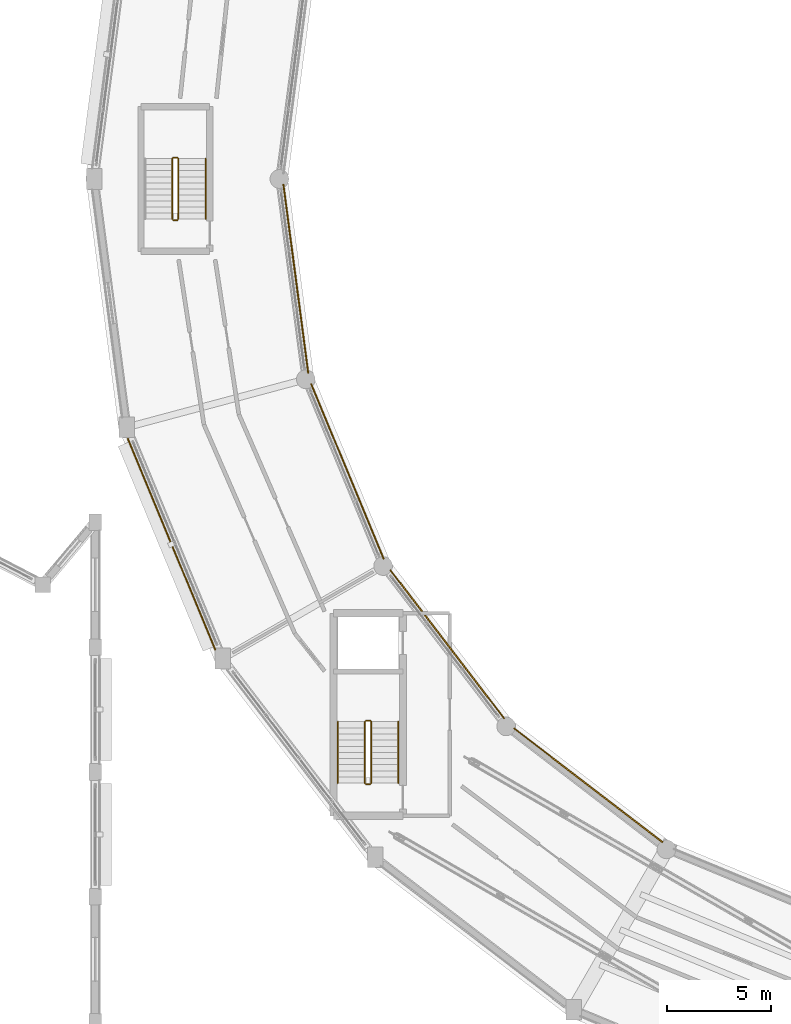
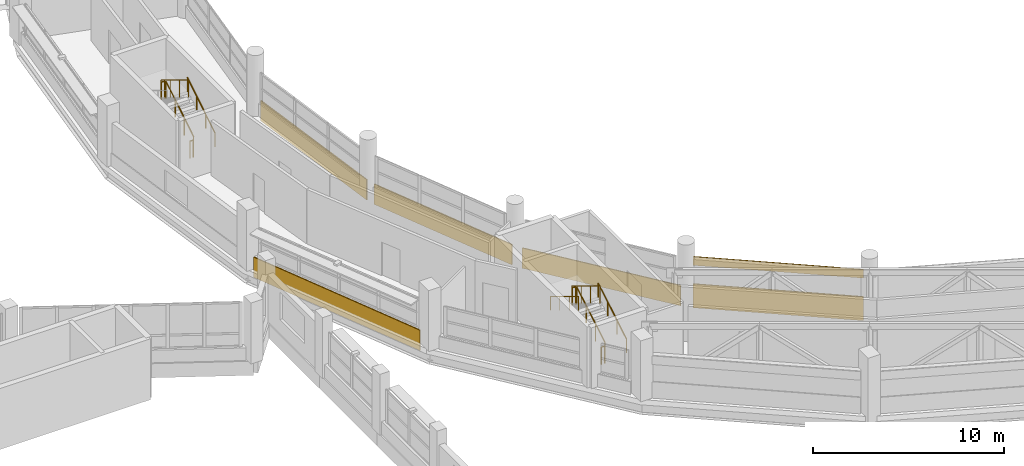
# One storey, part 114 of 121: 11 railings, 6 coverings.
"""IFC4 building model written with IfcOpenShell, lengths in metres."""

import ifcopenshell
import ifcopenshell.guid

model = None  # the IFC model being written
_history = None  # IfcOwnerHistory: only IFC2X3 demands one
_inside = {}  # id of a spatial element -> (the spatial element, [elements in it])
_under = {}  # id of a project, library or spatial element -> (it, [spatial elements below it])
_declared = {}  # id of a project -> (the project, [libraries it declares])
_typed = {}  # id of a type object -> (the type object, [elements of that type])
_made_of = {}  # id of a material, layer set ... -> (it, [elements and type objects made of it])


def new_model(schema):
    """Start an empty IFC model of exactly this schema.

    Asked for "IFC4X3", IfcOpenShell would pick the latest addendum, in which some entities
    have other attributes; the version numbers below select the first issue.
    IFC2X3 requires an IfcOwnerHistory on every rooted entity: one is made here for all.
    """
    global model, _history
    if schema == "IFC4X3":
        model = ifcopenshell.file(schema_version=(4, 3, 0, 0))
    else:
        model = ifcopenshell.file(schema=schema)
    _inside.clear()
    _under.clear()
    _declared.clear()
    _typed.clear()
    _made_of.clear()
    _history = None
    if model.schema == "IFC2X3":
        org = make("IfcOrganization", Name="unknown")
        user = make(
            "IfcPersonAndOrganization",
            ThePerson=make("IfcPerson", FamilyName="unknown"),
            TheOrganization=org,
        )
        app = make(
            "IfcApplication",
            ApplicationDeveloper=org,
            Version="unknown",
            ApplicationFullName="unknown",
            ApplicationIdentifier="unknown",
        )
        _history = make(
            "IfcOwnerHistory",
            OwningUser=user,
            OwningApplication=app,
            ChangeAction="ADDED",
            CreationDate=0,
        )
    return model


def make(cls, **values):
    """One entity of the class cls with the attributes given. An attribute that is None is left unset."""
    return model.create_entity(
        cls, **{name: value for name, value in values.items() if value is not None}
    )


def rooted(cls, **values):
    """An entity with a GlobalId (a new one), such as an element, a storey or a relation."""
    return make(cls, GlobalId=ifcopenshell.guid.new(), OwnerHistory=_history, **values)


def si_unit(unit_type, name, prefix=None):
    """IfcSIUnit, for example si_unit("LENGTHUNIT", "METRE", prefix="MILLI")."""
    return make("IfcSIUnit", UnitType=unit_type, Prefix=prefix, Name=name)


def assignment(units):
    """IfcUnitAssignment: the units of a project."""
    return None if units is None else make("IfcUnitAssignment", Units=units)


def point(xyz):
    """IfcCartesianPoint."""
    return None if xyz is None else make("IfcCartesianPoint", Coordinates=xyz)


def direction(xyz):
    """IfcDirection."""
    return None if xyz is None else make("IfcDirection", DirectionRatios=xyz)


def frame(location, z_axis=None, x_axis=None):
    """IfcAxis2Placement3D, a coordinate frame: its origin and axes. An axis left out is left unset."""
    return make(
        "IfcAxis2Placement3D",
        Location=point(location),
        Axis=direction(z_axis),
        RefDirection=direction(x_axis),
    )


def frame_2d(location, x_axis=None):
    """IfcAxis2Placement2D, a coordinate frame in the plane: its origin and x axis."""
    return make(
        "IfcAxis2Placement2D", Location=point(location), RefDirection=direction(x_axis)
    )


def origin():
    """The frame at (0, 0, 0) with its axes left unset."""
    return frame((0.0, 0.0, 0.0))


def origin_2d():
    """The frame at (0, 0) in the plane with its x axis left unset."""
    return frame_2d((0.0, 0.0))


def place(relative_to, where):
    """IfcLocalPlacement: puts the frame where relative to a parent placement (None: the world)."""
    return make(
        "IfcLocalPlacement", PlacementRelTo=relative_to, RelativePlacement=where
    )


def context(
    kind, dimensions, precision=None, world=None, true_north=None, identifier=None
):
    """IfcGeometricRepresentationContext, for example the 3D "Model" context."""
    return make(
        "IfcGeometricRepresentationContext",
        ContextIdentifier=identifier,
        ContextType=kind,
        CoordinateSpaceDimension=dimensions,
        Precision=precision,
        WorldCoordinateSystem=world,
        TrueNorth=true_north,
    )


def subcontext(parent, identifier, kind, view, scale=None):
    """IfcGeometricRepresentationSubContext, for example "Body" below "Model"."""
    return make(
        "IfcGeometricRepresentationSubContext",
        ContextIdentifier=identifier,
        ContextType=kind,
        ParentContext=parent,
        TargetScale=scale,
        TargetView=view,
    )


def project(units=None, contexts=None):
    """IfcProject with its units and contexts."""
    return rooted(
        "IfcProject",
        Name="project",
        RepresentationContexts=contexts,
        UnitsInContext=assignment(units),
    )


def spatial(cls, under=None, at=None, **own):
    """A site, building, storey or space (cls), placed at a placement, below another one or the project."""
    s = rooted(cls, ObjectPlacement=at, **own)
    if under is not None:
        _under.setdefault(under.id(), (under, []))[1].append(s)
    return s


def profile(cls, at=None, kind="AREA", **sizes):
    """A parametric profile (cls). Its sizes go by their IFC names, for example OverallWidth=200.0."""
    return make(cls, ProfileType=kind, Position=at, **sizes)


def rectangle(**sizes):
    """IfcRectangleProfileDef."""
    return profile("IfcRectangleProfileDef", **sizes)


def circle(**sizes):
    """IfcCircleProfileDef."""
    return profile("IfcCircleProfileDef", **sizes)


def extrude(swept, where, along, depth):
    """IfcExtrudedAreaSolid: the profile swept, set in the frame where, extruded along a direction by depth."""
    return make(
        "IfcExtrudedAreaSolid",
        SweptArea=swept,
        Position=where,
        ExtrudedDirection=direction(along),
        Depth=depth,
    )


def shape(context_of_items, identifier, shape_type, items):
    """IfcShapeRepresentation: the items that make up one representation, for example the "Body"."""
    return make(
        "IfcShapeRepresentation",
        ContextOfItems=context_of_items,
        RepresentationIdentifier=identifier,
        RepresentationType=shape_type,
        Items=items,
    )


def material(Name=None, Category=None):
    """IfcMaterial."""
    return make("IfcMaterial", Name=Name, Category=Category)


def layer(
    of_material, thickness, ventilated=None, Name=None, Category=None, Priority=None
):
    """IfcMaterialLayer: one layer of a wall or slab, of a material (None: an air gap)."""
    return make(
        "IfcMaterialLayer",
        Material=of_material,
        LayerThickness=thickness,
        IsVentilated=ventilated,
        Name=Name,
        Category=Category,
        Priority=Priority,
    )


def layer_set(layers, Name=None):
    """IfcMaterialLayerSet."""
    return make("IfcMaterialLayerSet", MaterialLayers=layers, LayerSetName=Name)


def made_of(thing, what):
    """Note that an element or type object is made of a material, layer set ...; save() writes the relation."""
    if what is not None:
        _made_of.setdefault(what.id(), (what, []))[1].append(thing)
    return thing


def type_object(cls, material=None, **own):
    """A type object (cls), such as IfcWallType, which elements share."""
    return made_of(rooted(cls, **own), material)


def element(
    cls,
    number,
    at=None,
    inside=None,
    cuts=None,
    type_object=None,
    material=None,
    context=None,
    identifier="Body",
    shape_type=None,
    held_by="IfcProductDefinitionShape",
    body=None,
    shapes=None,
    **own,
):
    """One element of the class cls, such as IfcWall. Its Tag is "e" and its number.

    at: its placement. inside: the storey or other place that contains it. cuts: it is an
    opening in that element (IfcRelVoidsElement). A single representation is given by context,
    identifier, shape_type and body (its items); several are given by shapes. held_by: the class
    of the entity that holds the representations. save() writes the other relations.
    """
    e = rooted(cls, Tag="e%d" % number, ObjectPlacement=at, **own)
    if body is not None:
        shapes = [shape(context, identifier, shape_type, body)]
    if shapes is not None:
        e.Representation = make(held_by, Representations=shapes)
    if inside is not None:
        _inside.setdefault(inside.id(), (inside, []))[1].append(e)
    if cuts is not None:
        rooted(
            "IfcRelVoidsElement", RelatingBuildingElement=cuts, RelatedOpeningElement=e
        )
    if type_object is not None:
        _typed.setdefault(type_object.id(), (type_object, []))[1].append(e)
    return made_of(e, material)


def aggregate(whole, parts):
    """IfcRelAggregates: a whole, such as a stair, and the parts it consists of."""
    return rooted("IfcRelAggregates", RelatingObject=whole, RelatedObjects=parts)


def save(model, path):
    """Write the relations noted so far, then the file.

    IfcRelAggregates (storeys below a building ...), IfcRelContainedInSpatialStructure (elements
    in a storey), IfcRelDefinesByType, IfcRelAssociatesMaterial and IfcRelDeclares: one each for
    every whole, place, type object, material and project.
    """
    for whole, parts in _under.values():
        aggregate(whole, parts)
    for where, things in _inside.values():
        rooted(
            "IfcRelContainedInSpatialStructure",
            RelatedElements=things,
            RelatingStructure=where,
        )
    for kind, things in _typed.values():
        rooted("IfcRelDefinesByType", RelatedObjects=things, RelatingType=kind)
    for what, things in _made_of.values():
        rooted("IfcRelAssociatesMaterial", RelatedObjects=things, RelatingMaterial=what)
    for by, libraries in _declared.values():
        rooted("IfcRelDeclares", RelatingContext=by, RelatedDefinitions=libraries)
    model.write(path)


model = new_model("IFC4")

# Units and contexts
model_context = context("Model", 3, precision=1e-05, world=origin(), true_north=direction((0.0, 1.0)))
body_context = subcontext(model_context, "Body", "Model", "MODEL_VIEW")
ifc_project = project(units=[si_unit("LENGTHUNIT", "METRE"), si_unit("AREAUNIT", "SQUARE_METRE"), si_unit("VOLUMEUNIT", "CUBIC_METRE"), si_unit("PLANEANGLEUNIT", "RADIAN"), si_unit("MASSUNIT", "GRAM", prefix="KILO")], contexts=[model_context])

# Site, building, storey
site_placement = place(None, origin())
site = spatial("IfcSite", under=ifc_project, at=site_placement, CompositionType="ELEMENT")
building_placement = place(site_placement, origin())
building = spatial("IfcBuilding", under=site, at=building_placement, Name="Vespera Passage Community Centre", CompositionType="ELEMENT")
storey_placement = place(building_placement, frame((0.0, 0.0, 8.699951171875)))
storey = spatial("IfcBuildingStorey", under=building, at=storey_placement, Name="L02", CompositionType="ELEMENT", Elevation=8.699951171875)

# Coverings
ifc_material_1 = material(Name="Precast concrete f'c 40 MPa", Category="concrete")
ifc_layer = layer(ifc_material_1, 0.06005859375)
ifc_layer_set = layer_set([ifc_layer], Name="Precast concrete f'c 40 MPa")
covering_type = type_object("IfcCoveringType", Name="COV-CLAD-60E", PredefinedType="CLADDING", material=ifc_layer_set)
covering_1_placement = place(storey_placement, frame((40.989990234375, 65.2451171875, -0.47998046875), z_axis=(0.0, 0.0, 1.0), x_axis=(0.13052003772, -0.99144567161, 0.0)))
element("IfcCovering", 1, at=covering_1_placement, inside=storey, type_object=covering_type, Name="V4 L02 Inner Court White Spandrel Band I12", PredefinedType="CLADDING", context=body_context, shape_type="SweptSolid", body=[
    extrude(rectangle(XDim=9.15625, YDim=0.06005859375, at=frame_2d((4.578125, 0.0))), origin(), (0.0, 0.0, 1.0), 1.300048828125),
])
covering_2_placement = place(storey_placement, frame((37.7216796875, 42.86181640625, -0.47998046875), z_axis=(0.0, 0.0, 1.0), x_axis=(-0.382695413149, 0.923874569817, 0.0)))
element("IfcCovering", 2, at=covering_2_placement, inside=storey, type_object=covering_type, Name="V4 L02 Outer White Spandrel Band O13", PredefinedType="CLADDING", context=body_context, shape_type="SweptSolid", body=[
    extrude(rectangle(XDim=11.002197265625, YDim=0.06005859375, at=frame_2d((5.5009765625, 0.0))), origin(), (0.0, 0.0, 1.0), 1.300048828125),
])
covering_3_placement = place(storey_placement, frame((42.325439453125, 55.654296875, -0.47998046875), z_axis=(0.0, 0.0, 1.0), x_axis=(0.38269491658, -0.92387477551, 0.0)))
element("IfcCovering", 3, at=covering_3_placement, inside=storey, type_object=covering_type, Name="V4 L02 Inner Court White Spandrel Band I13", PredefinedType="CLADDING", context=body_context, shape_type="SweptSolid", body=[
    extrude(rectangle(XDim=9.11181640625, YDim=0.06005859375, at=frame_2d((4.555908203125, 0.0))), origin(), (0.0, 0.0, 1.0), 1.300048828125),
])
covering_4_placement = place(storey_placement, frame((46.121826171875, 46.714111328125, -0.47998046875), z_axis=(0.0, 0.0, 1.0), x_axis=(0.608765610033, -0.793350132061, 0.0)))
element("IfcCovering", 4, at=covering_4_placement, inside=storey, type_object=covering_type, Name="V4 L02 Inner Court White Spandrel Band I14", PredefinedType="CLADDING", context=body_context, shape_type="SweptSolid", body=[
    extrude(rectangle(XDim=9.004638671875, YDim=0.06005859375, at=frame_2d((4.50244140625, 0.0))), origin(), (0.0, 0.0, 1.0), 1.300048828125),
])
covering_5_placement = place(storey_placement, frame((52.0703125, 39.103515625, -0.47998046875), z_axis=(0.0, 0.0, 1.0), x_axis=(0.793350132061, -0.608765610033, 0.0)))
element("IfcCovering", 5, at=covering_5_placement, inside=storey, type_object=covering_type, Name="V4 L02 Court Truss Spandrel Band I15", PredefinedType="CLADDING", context=body_context, shape_type="SweptSolid", body=[
    extrude(rectangle(XDim=9.004638671875, YDim=0.06005859375, at=frame_2d((4.50244140625, 0.0))), origin(), (0.0, 0.0, 1.0), 1.530029296875),
])
covering_6_placement = place(storey_placement, frame((52.0703125, 39.103515625, 2.239501953125), z_axis=(0.0, 0.0, 1.0), x_axis=(0.793350132061, -0.608765610033, 0.0)))
element("IfcCovering", 6, at=covering_6_placement, inside=storey, type_object=covering_type, Name="V4 L02 Court Truss Frieze Band I15", PredefinedType="CLADDING", context=body_context, shape_type="SweptSolid", body=[
    extrude(rectangle(XDim=9.004638671875, YDim=0.06005859375, at=frame_2d((4.50244140625, 0.0))), origin(), (0.0, 0.0, 1.0), 0.550048828125),
])

# Railings
ifc_material_2 = material(Name="Steel ASTM A500 Grade C", Category="steel")
railing_type_1 = type_object("IfcRailingType", Name="RL-HAND-900I", PredefinedType="HANDRAIL", material=ifc_material_2)
railing_1_placement = place(storey_placement, frame((37.25, 63.574951171875, 0.17724609375)))
element("IfcRailing", 7, at=railing_1_placement, inside=storey, type_object=railing_type_1, Name="L02 ST04 stair handrail 1", PredefinedType="HANDRAIL", context=body_context, shape_type="SweptSolid", body=[
    extrude(circle(Radius=0.02392578125, at=origin_2d()), frame((0.0, 0.0, 0.8759765625), z_axis=(0.0, 0.853230340181, 0.521534262148), x_axis=(-1.0, 0.0, 0.0)), (0.0, 0.0, 1.0), 3.39892578125),
    extrude(circle(Radius=0.02099609375, at=origin_2d()), origin(), (0.0, 0.0, 1.0), 0.851806640625),
    extrude(circle(Radius=0.02099609375, at=origin_2d()), frame((0.0, 0.966796875, 0.5908203125)), (0.0, 0.0, 1.0), 0.851806640625),
    extrude(circle(Radius=0.02099609375, at=origin_2d()), frame((0.0, 1.933349609375, 1.181884765625)), (0.0, 0.0, 1.0), 0.851806640625),
    extrude(circle(Radius=0.02099609375, at=origin_2d()), frame((0.0, 2.900146484375, 1.772705078125)), (0.0, 0.0, 1.0), 0.851806640625),
])
railing_2_placement = place(storey_placement, frame((46.510986328125, 36.469970703125, 0.17724609375)))
element("IfcRailing", 8, at=railing_2_placement, inside=storey, type_object=railing_type_1, Name="L02 ST05 stair handrail 1", PredefinedType="HANDRAIL", context=body_context, shape_type="SweptSolid", body=[
    extrude(circle(Radius=0.02392578125, at=origin_2d()), frame((0.0, 0.0, 0.8759765625), z_axis=(0.0, 0.857142210208, 0.515079830201), x_axis=(-1.0, 0.0, 0.0)), (0.0, 0.0, 1.0), 3.441650390625),
    extrude(circle(Radius=0.02099609375, at=origin_2d()), origin(), (0.0, 0.0, 1.0), 0.851806640625),
    extrude(circle(Radius=0.02099609375, at=origin_2d()), frame((0.0, 0.9833984375, 0.5908203125)), (0.0, 0.0, 1.0), 0.851806640625),
    extrude(circle(Radius=0.02099609375, at=origin_2d()), frame((0.0, 1.966552734375, 1.181884765625)), (0.0, 0.0, 1.0), 0.851806640625),
    extrude(circle(Radius=0.02099609375, at=origin_2d()), frame((0.0, 2.949951171875, 1.772705078125)), (0.0, 0.0, 1.0), 0.851806640625),
])
railing_3_placement = place(storey_placement, frame((43.611083984375, 39.419921875, 2.12744140625)))
element("IfcRailing", 9, at=railing_3_placement, inside=storey, type_object=railing_type_1, Name="L02 ST05 stair handrail 2", PredefinedType="HANDRAIL", context=body_context, shape_type="SweptSolid", body=[
    extrude(circle(Radius=0.02392578125, at=origin_2d()), frame((0.0, 0.0, 0.8759765625), z_axis=(0.0, -0.857142210208, 0.515079830201), x_axis=(1.0, 0.0, 0.0)), (0.0, 0.0, 1.0), 3.441650390625),
    extrude(circle(Radius=0.02099609375, at=origin_2d()), origin(), (0.0, 0.0, 1.0), 0.851806640625),
    extrude(circle(Radius=0.02099609375, at=origin_2d()), frame((0.0, -0.9833984375, 0.5908203125)), (0.0, 0.0, 1.0), 0.851806640625),
    extrude(circle(Radius=0.02099609375, at=origin_2d()), frame((0.0, -1.966552734375, 1.181884765625)), (0.0, 0.0, 1.0), 0.851806640625),
    extrude(circle(Radius=0.02099609375, at=origin_2d()), frame((0.0, -2.949951171875, 1.772705078125)), (0.0, 0.0, 1.0), 0.851806640625),
])
ifc_material_3 = material(Name="Steel ASTM A500 Grade C", Category="steel")
railing_type_2 = type_object("IfcRailingType", Name="RL-STAIR-1100I", PredefinedType="GUARDRAIL", material=ifc_material_3)
railing_4_placement = place(storey_placement, frame((35.949951171875, 63.574951171875, 0.17724609375)))
element("IfcRailing", 10, at=railing_4_placement, inside=storey, type_object=railing_type_2, Name="L02 ST04 stair guard 1", PredefinedType="GUARDRAIL", context=body_context, shape_type="SweptSolid", body=[
    extrude(circle(Radius=0.02392578125, at=origin_2d()), frame((0.0, 0.0, 1.09619140625), z_axis=(0.0, 0.853230340181, 0.521534262148), x_axis=(-1.0, 0.0, 0.0)), (0.0, 0.0, 1.0), 3.39892578125),
    extrude(circle(Radius=0.02099609375, at=origin_2d()), origin(), (0.0, 0.0, 1.0), 1.072021484375),
    extrude(circle(Radius=0.02099609375, at=origin_2d()), frame((0.0, 0.966796875, 0.5908203125)), (0.0, 0.0, 1.0), 1.072021484375),
    extrude(circle(Radius=0.02099609375, at=origin_2d()), frame((0.0, 1.933349609375, 1.181884765625)), (0.0, 0.0, 1.0), 1.072021484375),
    extrude(circle(Radius=0.02099609375, at=origin_2d()), frame((0.0, 2.900146484375, 1.772705078125)), (0.0, 0.0, 1.0), 1.072021484375),
])
railing_5_placement = place(storey_placement, frame((35.89990234375, 66.52490234375, 1.949951171875)))
element("IfcRailing", 11, at=railing_5_placement, inside=storey, type_object=railing_type_2, Name="L02 ST04 stair guard 2", PredefinedType="GUARDRAIL", context=body_context, shape_type="SweptSolid", body=[
    extrude(circle(Radius=0.02392578125, at=origin_2d()), frame((0.0, 0.0, 1.09619140625), z_axis=(-1.0, 0.0, 0.0), x_axis=(0.0, -1.0, 0.0)), (0.0, 0.0, 1.0), 0.199951171875),
    extrude(circle(Radius=0.02099609375, at=origin_2d()), origin(), (0.0, 0.0, 1.0), 1.072021484375),
    extrude(circle(Radius=0.02099609375, at=origin_2d()), frame((-0.199951171875, 0.0, 0.0)), (0.0, 0.0, 1.0), 1.072021484375),
])
railing_6_placement = place(storey_placement, frame((35.64990234375, 66.47509765625, 2.12744140625)))
element("IfcRailing", 12, at=railing_6_placement, inside=storey, type_object=railing_type_2, Name="L02 ST04 stair guard 3", PredefinedType="GUARDRAIL", context=body_context, shape_type="SweptSolid", body=[
    extrude(circle(Radius=0.02392578125, at=origin_2d()), frame((0.0, 0.0, 1.09619140625), z_axis=(0.0, -0.853230340181, 0.521534262148), x_axis=(1.0, 0.0, 0.0)), (0.0, 0.0, 1.0), 3.39892578125),
    extrude(circle(Radius=0.02099609375, at=origin_2d()), origin(), (0.0, 0.0, 1.0), 1.072021484375),
    extrude(circle(Radius=0.02099609375, at=origin_2d()), frame((0.0, -0.966796875, 0.5908203125)), (0.0, 0.0, 1.0), 1.072021484375),
    extrude(circle(Radius=0.02099609375, at=origin_2d()), frame((0.0, -1.933349609375, 1.181884765625)), (0.0, 0.0, 1.0), 1.072021484375),
    extrude(circle(Radius=0.02099609375, at=origin_2d()), frame((0.0, -2.900146484375, 1.772705078125)), (0.0, 0.0, 1.0), 1.072021484375),
])
railing_7_placement = place(storey_placement, frame((35.89990234375, 63.52490234375, 0.0)))
element("IfcRailing", 13, at=railing_7_placement, inside=storey, type_object=railing_type_2, Name="L02 ST04 stair guard 4", PredefinedType="GUARDRAIL", context=body_context, shape_type="SweptSolid", body=[
    extrude(circle(Radius=0.02392578125, at=origin_2d()), frame((0.0, 0.0, 1.09619140625), z_axis=(-1.0, 0.0, 0.0), x_axis=(0.0, -1.0, 0.0)), (0.0, 0.0, 1.0), 0.199951171875),
    extrude(circle(Radius=0.02099609375, at=origin_2d()), origin(), (0.0, 0.0, 1.0), 1.072021484375),
    extrude(circle(Radius=0.02099609375, at=origin_2d()), frame((-0.199951171875, 0.0, 0.0)), (0.0, 0.0, 1.0), 1.072021484375),
])
railing_8_placement = place(storey_placement, frame((45.2109375, 36.469970703125, 0.17724609375)))
element("IfcRailing", 14, at=railing_8_placement, inside=storey, type_object=railing_type_2, Name="L02 ST05 stair guard 1", PredefinedType="GUARDRAIL", context=body_context, shape_type="SweptSolid", body=[
    extrude(circle(Radius=0.02392578125, at=origin_2d()), frame((0.0, 0.0, 1.09619140625), z_axis=(0.0, 0.857142210208, 0.515079830201), x_axis=(-1.0, 0.0, 0.0)), (0.0, 0.0, 1.0), 3.441650390625),
    extrude(circle(Radius=0.02099609375, at=origin_2d()), origin(), (0.0, 0.0, 1.0), 1.072021484375),
    extrude(circle(Radius=0.02099609375, at=origin_2d()), frame((0.0, 0.9833984375, 0.5908203125)), (0.0, 0.0, 1.0), 1.072021484375),
    extrude(circle(Radius=0.02099609375, at=origin_2d()), frame((0.0, 1.966552734375, 1.181884765625)), (0.0, 0.0, 1.0), 1.072021484375),
    extrude(circle(Radius=0.02099609375, at=origin_2d()), frame((0.0, 2.949951171875, 1.772705078125)), (0.0, 0.0, 1.0), 1.072021484375),
])
railing_9_placement = place(storey_placement, frame((45.160888671875, 39.469970703125, 1.949951171875)))
element("IfcRailing", 15, at=railing_9_placement, inside=storey, type_object=railing_type_2, Name="L02 ST05 stair guard 2", PredefinedType="GUARDRAIL", context=body_context, shape_type="SweptSolid", body=[
    extrude(circle(Radius=0.02392578125, at=origin_2d()), frame((0.0, 0.0, 1.09619140625), z_axis=(-1.0, 0.0, 0.0), x_axis=(0.0, -1.0, 0.0)), (0.0, 0.0, 1.0), 0.199951171875),
    extrude(circle(Radius=0.02099609375, at=origin_2d()), origin(), (0.0, 0.0, 1.0), 1.072021484375),
    extrude(circle(Radius=0.02099609375, at=origin_2d()), frame((-0.199951171875, 0.0, 0.0)), (0.0, 0.0, 1.0), 1.072021484375),
])
railing_10_placement = place(storey_placement, frame((44.910888671875, 39.419921875, 2.12744140625)))
element("IfcRailing", 16, at=railing_10_placement, inside=storey, type_object=railing_type_2, Name="L02 ST05 stair guard 3", PredefinedType="GUARDRAIL", context=body_context, shape_type="SweptSolid", body=[
    extrude(circle(Radius=0.02392578125, at=origin_2d()), frame((0.0, 0.0, 1.09619140625), z_axis=(0.0, -0.857142210208, 0.515079830201), x_axis=(1.0, 0.0, 0.0)), (0.0, 0.0, 1.0), 3.441650390625),
    extrude(circle(Radius=0.02099609375, at=origin_2d()), origin(), (0.0, 0.0, 1.0), 1.072021484375),
    extrude(circle(Radius=0.02099609375, at=origin_2d()), frame((0.0, -0.9833984375, 0.5908203125)), (0.0, 0.0, 1.0), 1.072021484375),
    extrude(circle(Radius=0.02099609375, at=origin_2d()), frame((0.0, -1.966552734375, 1.181884765625)), (0.0, 0.0, 1.0), 1.072021484375),
    extrude(circle(Radius=0.02099609375, at=origin_2d()), frame((0.0, -2.949951171875, 1.772705078125)), (0.0, 0.0, 1.0), 1.072021484375),
])
railing_11_placement = place(storey_placement, frame((45.160888671875, 36.419921875, 0.0)))
element("IfcRailing", 17, at=railing_11_placement, inside=storey, type_object=railing_type_2, Name="L02 ST05 stair guard 4", PredefinedType="GUARDRAIL", context=body_context, shape_type="SweptSolid", body=[
    extrude(circle(Radius=0.02392578125, at=origin_2d()), frame((0.0, 0.0, 1.09619140625), z_axis=(-1.0, 0.0, 0.0), x_axis=(0.0, -1.0, 0.0)), (0.0, 0.0, 1.0), 0.199951171875),
    extrude(circle(Radius=0.02099609375, at=origin_2d()), origin(), (0.0, 0.0, 1.0), 1.072021484375),
    extrude(circle(Radius=0.02099609375, at=origin_2d()), frame((-0.199951171875, 0.0, 0.0)), (0.0, 0.0, 1.0), 1.072021484375),
])

save(model, "model.ifc")
